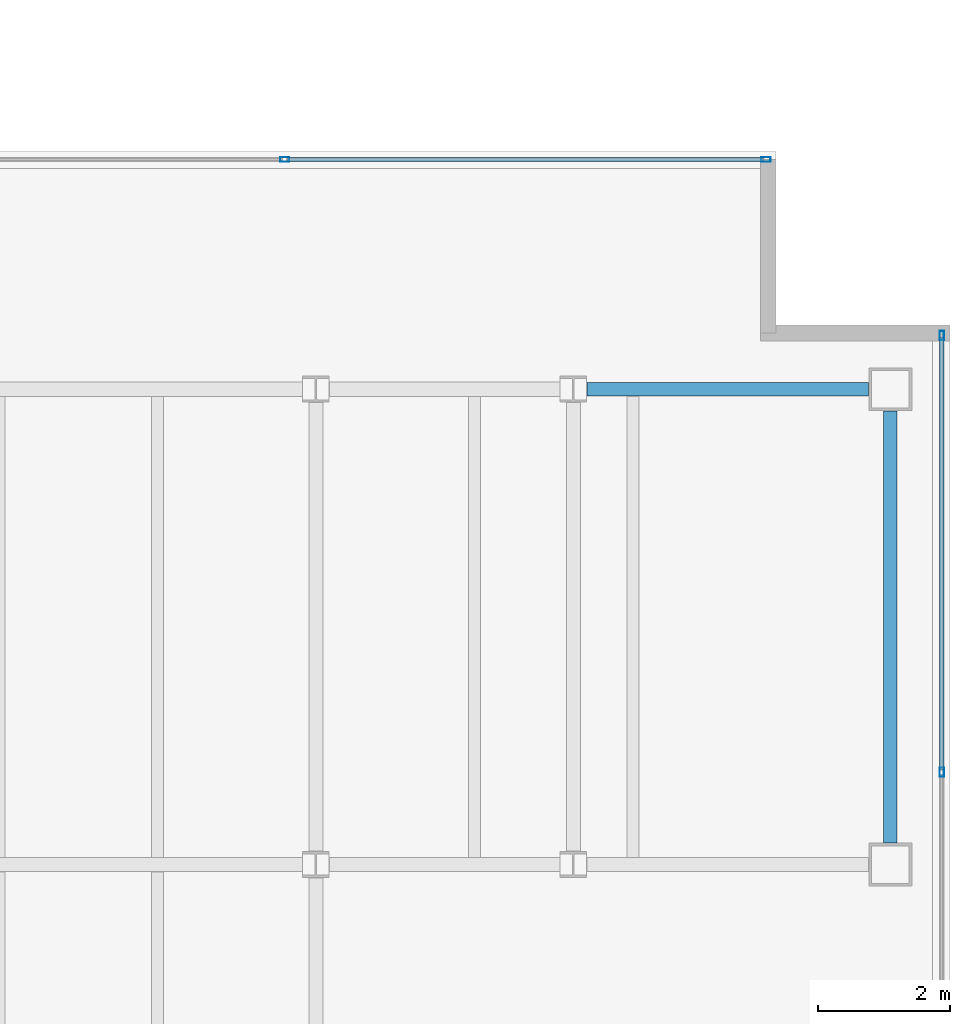
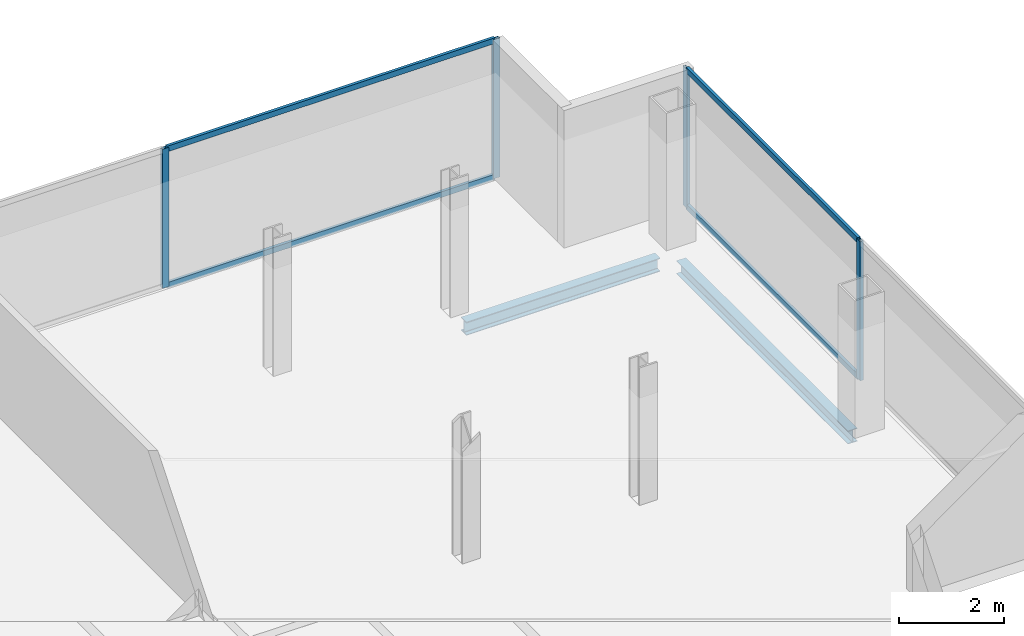
# One storey, part 16 of 23: 8 members, 2 beams, 2 elements without a shape of their own.
"""IFC4 building model written with IfcOpenShell, lengths in metres."""

from ifc_helpers import new_model, si_unit, direction, frame, origin, origin_2d, place, context, subcontext, project, spatial, hollow_rectangle, i_section, extrude, material, material_profile, profile_set, type_object, element, aggregate, save


model = new_model("IFC4")

# Units and contexts
model_context = context("Model", 3, precision=1e-05, world=origin(), true_north=direction((0.0, 1.0)))
body_context = subcontext(model_context, "Body", "Model", "MODEL_VIEW")
ifc_project = project(units=[si_unit("LENGTHUNIT", "METRE"), si_unit("AREAUNIT", "SQUARE_METRE"), si_unit("VOLUMEUNIT", "CUBIC_METRE"), si_unit("PLANEANGLEUNIT", "RADIAN"), si_unit("MASSUNIT", "GRAM", prefix="KILO")], contexts=[model_context])

# Site, building, storey
site_placement = place(None, origin())
site = spatial("IfcSite", under=ifc_project, at=site_placement, CompositionType="ELEMENT")
building_placement = place(site_placement, origin())
building = spatial("IfcBuilding", under=site, at=building_placement, Name="Cobrela Telecom Tower", CompositionType="ELEMENT")
storey_placement = place(building_placement, frame((0.0, 0.0, 272.64990234375)))
storey = spatial("IfcBuildingStorey", under=building, at=storey_placement, Name="L71", CompositionType="ELEMENT", Elevation=272.64990234375)

# Beams
ifc_material_1 = material(Name="Steel ASTM A992 Grade 50", Category="steel")
ifc_material_profile_1 = material_profile(ifc_material_1, i_section(OverallWidth=0.205078125, OverallDepth=0.31005859375, WebThickness=0.009521484375, FlangeThickness=0.016357421875, FilletRadius=0.010986328125, at=origin_2d()), Name="W12X50")
ifc_profile_set_1 = profile_set([ifc_material_profile_1], Name="Steel ASTM A992 Grade 50")
beam_type = type_object("IfcBeamType", Name="BM-SPAND-07", PredefinedType="SPANDREL", material=ifc_profile_set_1)
beam_1_placement = place(storey_placement, frame((40.1044921875, 21.60009765625, -0.414794921875), z_axis=(1.0, 0.0, 0.0), x_axis=(0.0, 1.0, 0.0)))
element("IfcBeam", 1, at=beam_1_placement, inside=storey, type_object=beam_type, Name="L71 Perimeter Spandrel X14", PredefinedType="SPANDREL", context=body_context, shape_type="SweptSolid", body=[
    extrude(i_section(OverallWidth=0.205078125, OverallDepth=0.31005859375, WebThickness=0.009521484375, FlangeThickness=0.016357421875, FilletRadius=0.010986328125, at=origin_2d()), origin(), (0.0, 0.0, 1.0), 4.265625),
])
beam_2_placement = place(storey_placement, frame((44.699951171875, 14.72998046875, -0.414794921875), z_axis=(0.0, 1.0, 0.0), x_axis=(-1.0, 0.0, 0.0)))
element("IfcBeam", 2, at=beam_2_placement, inside=storey, type_object=beam_type, Name="L71 Perimeter Spandrel Y34", PredefinedType="SPANDREL", context=body_context, shape_type="SweptSolid", body=[
    extrude(i_section(OverallWidth=0.205078125, OverallDepth=0.31005859375, WebThickness=0.009521484375, FlangeThickness=0.016357421875, FilletRadius=0.010986328125, at=origin_2d()), origin(), (0.0, 0.0, 1.0), 6.5400390625),
])

# Curtain wall, members
ifc_material_2 = material(Name="Anodized Bronze Aluminium 6063-T6", Category="aluminium")
curtain_wall_type = type_object("IfcCurtainWallType", Name="CW-SYS-OFF-HI", PredefinedType="USERDEFINED", material=ifc_material_2)
curtain_wall_1_placement = place(storey_placement, origin())
curtain_wall_1 = element("IfcCurtainWall", 3, at=curtain_wall_1_placement, inside=storey, type_object=curtain_wall_type, Name="L71 Unitised Bronze Curtain Wall 09", ObjectType="UNITISED CURTAIN WALL", PredefinedType="USERDEFINED")
ifc_material_profile_2 = material_profile(ifc_material_2, hollow_rectangle(XDim=0.070068359375, YDim=0.139892578125, WallThickness=0.00390625, at=origin_2d()), Name="ALU 70x140x4")
ifc_profile_set_2 = profile_set([ifc_material_profile_2], Name="Anodized Bronze Aluminium 6063-T6")
member_type_1 = type_object("IfcMemberType", Name="CW-SYS-OFF-HI-MUL", PredefinedType="MULLION", material=ifc_profile_set_2)
member_1_placement = place(storey_placement, frame((35.526611328125, 25.080078125, 0.0), z_axis=(0.0, 0.0, 1.0), x_axis=(0.0, 1.0, 0.0)))
member_1 = element("IfcMember", 4, at=member_1_placement, type_object=member_type_1, Name="CW-OFF-HI mullion 3", PredefinedType="MULLION", context=body_context, shape_type="SweptSolid", body=[
    extrude(hollow_rectangle(XDim=0.070068359375, YDim=0.139892578125, WallThickness=0.00390625, at=origin_2d()), origin(), (0.0, 0.0, 1.0), 3.239990234375),
])
member_2_placement = place(storey_placement, frame((42.81494140625, 25.080078125, 0.0), z_axis=(0.0, 0.0, 1.0), x_axis=(0.0, 1.0, 0.0)))
member_2 = element("IfcMember", 5, at=member_2_placement, type_object=member_type_1, Name="CW-OFF-HI mullion 4", PredefinedType="MULLION", context=body_context, shape_type="SweptSolid", body=[
    extrude(hollow_rectangle(XDim=0.070068359375, YDim=0.139892578125, WallThickness=0.00390625, at=origin_2d()), origin(), (0.0, 0.0, 1.0), 3.239990234375),
])

curtain_wall_2_placement = place(storey_placement, origin())
curtain_wall_2 = element("IfcCurtainWall", 6, at=curtain_wall_2_placement, inside=storey, type_object=curtain_wall_type, Name="L71 Unitised Bronze Curtain Wall 12", ObjectType="UNITISED CURTAIN WALL", PredefinedType="USERDEFINED")
member_3_placement = place(storey_placement, frame((45.47998046875, 22.4150390625, 0.0), z_axis=(0.0, 0.0, 1.0), x_axis=(1.0, 0.0, 0.0)))
member_3 = element("IfcMember", 7, at=member_3_placement, type_object=member_type_1, Name="CW-OFF-HI mullion 1", PredefinedType="MULLION", context=body_context, shape_type="SweptSolid", body=[
    extrude(hollow_rectangle(XDim=0.070068359375, YDim=0.139892578125, WallThickness=0.00390625, at=origin_2d()), origin(), (0.0, 0.0, 1.0), 3.239990234375),
])
member_4_placement = place(storey_placement, frame((45.47998046875, 15.800048828125, 0.0), z_axis=(0.0, 0.0, 1.0), x_axis=(1.0, 0.0, 0.0)))
member_4 = element("IfcMember", 8, at=member_4_placement, type_object=member_type_1, Name="CW-OFF-HI mullion 2", PredefinedType="MULLION", context=body_context, shape_type="SweptSolid", body=[
    extrude(hollow_rectangle(XDim=0.070068359375, YDim=0.139892578125, WallThickness=0.00390625, at=origin_2d()), origin(), (0.0, 0.0, 1.0), 3.239990234375),
])

# Member
ifc_material_profile_3 = material_profile(ifc_material_2, hollow_rectangle(XDim=0.06494140625, YDim=0.1298828125, WallThickness=0.00390625, at=origin_2d()), Name="ALU 65x130x4")
ifc_profile_set_3 = profile_set([ifc_material_profile_3], Name="Anodized Bronze Aluminium 6063-T6")
member_type_2 = type_object("IfcMemberType", Name="CW-SYS-OFF-HI-TRN", PredefinedType="USERDEFINED", material=ifc_profile_set_3)
member_5_placement = place(storey_placement, frame((35.561767578125, 25.080078125, 0.03271484375), z_axis=(1.0, 0.0, 0.0), x_axis=(0.0, 1.0, 0.0)))
member_5 = element("IfcMember", 9, at=member_5_placement, type_object=member_type_2, Name="CW-OFF-HI transom 3.1", ObjectType="TRANSOM", PredefinedType="USERDEFINED", context=body_context, shape_type="SweptSolid", body=[
    extrude(hollow_rectangle(XDim=0.06494140625, YDim=0.1298828125, WallThickness=0.00390625, at=origin_2d()), origin(), (0.0, 0.0, 1.0), 7.21826171875),
])

member_6_placement = place(storey_placement, frame((35.561767578125, 25.080078125, 3.20751953125), z_axis=(1.0, 0.0, 0.0), x_axis=(0.0, 1.0, 0.0)))
member_6 = element("IfcMember", 10, at=member_6_placement, type_object=member_type_2, Name="CW-OFF-HI transom 3.2", ObjectType="TRANSOM", PredefinedType="USERDEFINED", context=body_context, shape_type="SweptSolid", body=[
    extrude(hollow_rectangle(XDim=0.06494140625, YDim=0.1298828125, WallThickness=0.00390625, at=origin_2d()), origin(), (0.0, 0.0, 1.0), 7.21826171875),
])

aggregate(curtain_wall_1, [member_1, member_2, member_5, member_6])

member_7_placement = place(storey_placement, frame((45.47998046875, 22.3798828125, 0.03271484375), z_axis=(0.0, -1.0, 0.0), x_axis=(1.0, 0.0, 0.0)))
member_7 = element("IfcMember", 11, at=member_7_placement, type_object=member_type_2, Name="CW-OFF-HI transom 1.1", ObjectType="TRANSOM", PredefinedType="USERDEFINED", context=body_context, shape_type="SweptSolid", body=[
    extrude(hollow_rectangle(XDim=0.06494140625, YDim=0.1298828125, WallThickness=0.00390625, at=origin_2d()), origin(), (0.0, 0.0, 1.0), 6.544921875),
])

member_8_placement = place(storey_placement, frame((45.47998046875, 22.3798828125, 3.20751953125), z_axis=(0.0, -1.0, 0.0), x_axis=(1.0, 0.0, 0.0)))
member_8 = element("IfcMember", 12, at=member_8_placement, type_object=member_type_2, Name="CW-OFF-HI transom 1.2", ObjectType="TRANSOM", PredefinedType="USERDEFINED", context=body_context, shape_type="SweptSolid", body=[
    extrude(hollow_rectangle(XDim=0.06494140625, YDim=0.1298828125, WallThickness=0.00390625, at=origin_2d()), origin(), (0.0, 0.0, 1.0), 6.544921875),
])

aggregate(curtain_wall_2, [member_3, member_4, member_7, member_8])

save(model, "model.ifc")
